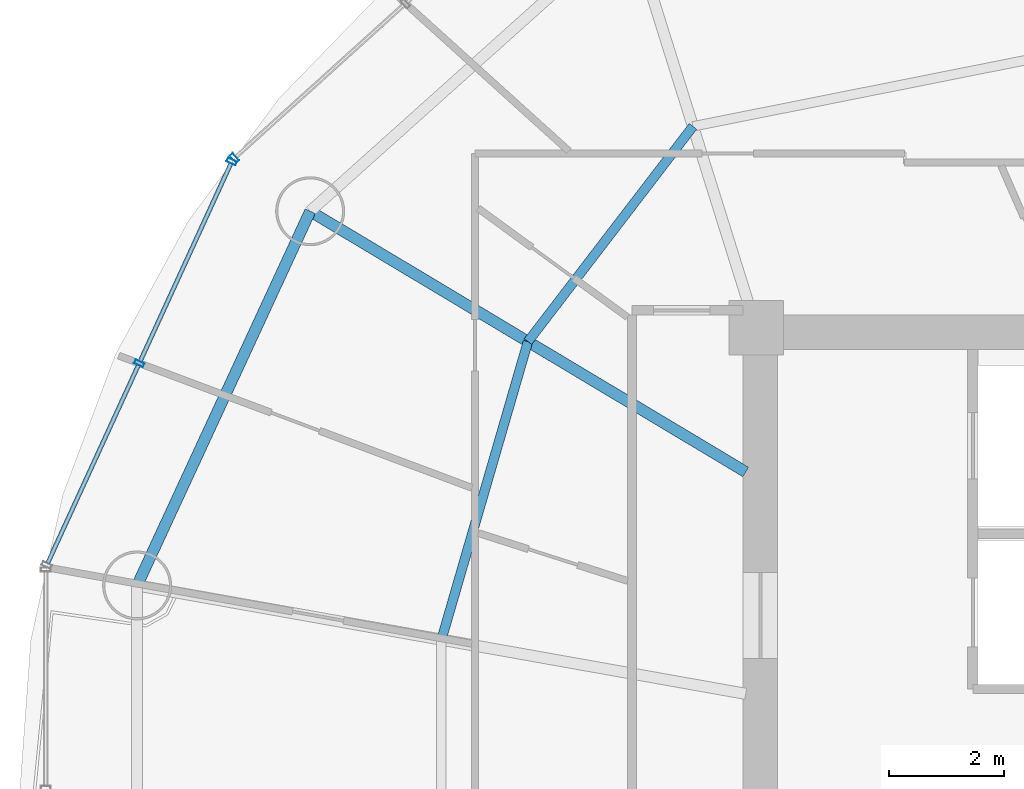
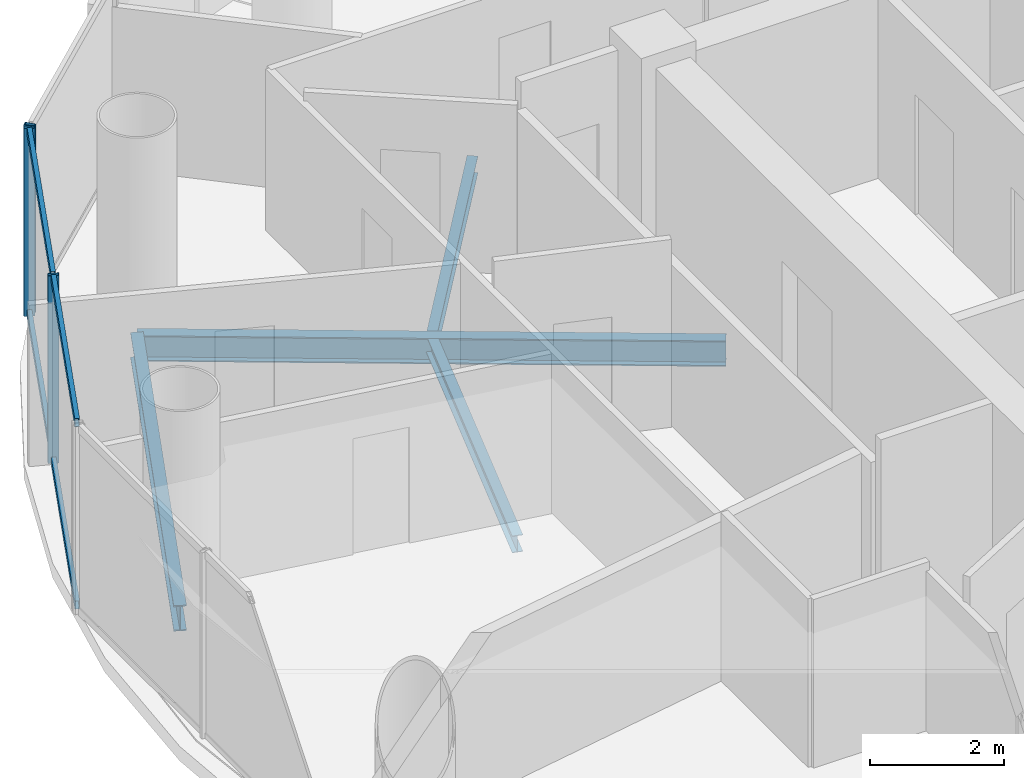
# One storey, part 8 of 27: 7 members, 4 beams, 2 elements without a shape of their own.
"""IFC4 building model written with IfcOpenShell, lengths in metres."""

from ifc_helpers import new_model, si_unit, direction, frame, origin, origin_2d, place, context, subcontext, project, spatial, hollow_rectangle, i_section, extrude, source, transform, mapped, material, material_profile, profile_set, type_object, element, aggregate, save


model = new_model("IFC4")

# Units and contexts
model_context = context("Model", 3, precision=1e-05, world=origin(), true_north=direction((-0.2419218956, 0.970295726276)))
body_context = subcontext(model_context, "Body", "Model", "MODEL_VIEW")
ifc_project = project(units=[si_unit("LENGTHUNIT", "METRE"), si_unit("AREAUNIT", "SQUARE_METRE"), si_unit("VOLUMEUNIT", "CUBIC_METRE"), si_unit("PLANEANGLEUNIT", "RADIAN"), si_unit("MASSUNIT", "GRAM", prefix="KILO")], contexts=[model_context])

# Site, building, storey
site_placement = place(None, origin())
site = spatial("IfcSite", under=ifc_project, at=site_placement, CompositionType="ELEMENT")
building_placement = place(site_placement, origin())
building = spatial("IfcBuilding", under=site, at=building_placement, Name="Cobrevalo Terracotta Tower", CompositionType="ELEMENT")
storey_placement = place(building_placement, frame((0.0, 0.0, 198.60009765625)))
storey = spatial("IfcBuildingStorey", under=building, at=storey_placement, Name="L52", CompositionType="ELEMENT", Elevation=198.60009765625)

# Beams
ifc_material_1 = material(Name="Steel S355", Category="steel")
ifc_material_profile_1 = material_profile(ifc_material_1, i_section(OverallWidth=0.194091796875, OverallDepth=0.468994140625, WebThickness=0.011474609375, FlangeThickness=0.0205078125, at=origin_2d()), Name="W 460x106")
ifc_profile_set_1 = profile_set([ifc_material_profile_1], Name="Steel S355")
beam_type_1 = type_object("IfcBeamType", Name="Structural Beam W 460x106 (Steel S355)", PredefinedType="BEAM", material=ifc_profile_set_1)
beam_1_placement = place(storey_placement, frame((21.245849609375, 36.828125, -0.49951171875), z_axis=(0.858046392192, -0.513572184651, 0.0), x_axis=(0.513572184651, 0.858046392192, 0.0)))
element("IfcBeam", 1, at=beam_1_placement, inside=storey, type_object=beam_type_1, Name="L52 radial floor girder 07", PredefinedType="BEAM", context=body_context, shape_type="SweptSolid", body=[
    extrude(i_section(OverallWidth=0.194091796875, OverallDepth=0.468994140625, WebThickness=0.011474609375, FlangeThickness=0.0205078125, at=origin_2d()), origin(), (0.0, 0.0, 1.0), 8.827392578125),
])
ifc_material_profile_2 = material_profile(ifc_material_1, i_section(OverallWidth=0.1650390625, OverallDepth=0.31005859375, WebThickness=0.005859375, FlangeThickness=0.009765625, at=origin_2d()), Name="W 310x38.7")
ifc_profile_set_2 = profile_set([ifc_material_profile_2], Name="Steel S355")
beam_type_2 = type_object("IfcBeamType", Name="Structural Joist W 310x38.7 (Steel S355)", PredefinedType="JOIST", material=ifc_profile_set_2)
beam_2_placement = place(storey_placement, frame((27.902587890625, 38.303955078125, -0.420166015625), z_axis=(-0.608464146296, -0.793581364872, 0.0), x_axis=(0.793581364872, -0.608464146296, 0.0)))
element("IfcBeam", 2, at=beam_2_placement, inside=storey, type_object=beam_type_2, Name="L52 circumferential secondary floor joist 06", PredefinedType="JOIST", context=body_context, shape_type="SweptSolid", body=[
    extrude(i_section(OverallWidth=0.1650390625, OverallDepth=0.31005859375, WebThickness=0.005859375, FlangeThickness=0.009765625, at=origin_2d()), origin(), (0.0, 0.0, 1.0), 4.716064453125),
])
beam_3_placement = place(storey_placement, frame((25.032958984375, 34.561279296875, -0.420166015625), z_axis=(-0.278769817131, -0.960357948401, 0.0), x_axis=(0.960357948401, -0.278769817131, 0.0)))
element("IfcBeam", 3, at=beam_3_placement, inside=storey, type_object=beam_type_2, Name="L52 circumferential secondary floor joist 07", PredefinedType="JOIST", context=body_context, shape_type="SweptSolid", body=[
    extrude(i_section(OverallWidth=0.1650390625, OverallDepth=0.31005859375, WebThickness=0.005859375, FlangeThickness=0.009765625, at=origin_2d()), origin(), (0.0, 0.0, 1.0), 5.396484375),
])
ifc_material_profile_3 = material_profile(ifc_material_1, i_section(OverallWidth=0.194091796875, OverallDepth=0.468994140625, WebThickness=0.011474609375, FlangeThickness=0.0205078125, at=origin_2d()), Name="W 460x106")
ifc_profile_set_3 = profile_set([ifc_material_profile_3], Name="Steel S355")
beam_type_3 = type_object("IfcBeamType", Name="Structural Spandrel W 460x106 (Steel S355)", PredefinedType="SPANDREL", material=ifc_profile_set_3)
beam_4_placement = place(storey_placement, frame((21.245849609375, 36.828125, -0.49951171875), z_axis=(-0.419705965131, -0.907660125176, 0.0), x_axis=(0.907660125176, -0.419705965131, 0.0)))
element("IfcBeam", 4, at=beam_4_placement, inside=storey, type_object=beam_type_3, Name="L52 perimeter ring spandrel 07", PredefinedType="SPANDREL", context=body_context, shape_type="SweptSolid", body=[
    extrude(i_section(OverallWidth=0.194091796875, OverallDepth=0.468994140625, WebThickness=0.011474609375, FlangeThickness=0.0205078125, at=origin_2d()), origin(), (0.0, 0.0, 1.0), 7.168701171875),
])

# Curtain wall, members
ifc_material_2 = material(Name="Anodized aluminium", Category="aluminium")
curtain_wall_type = type_object("IfcCurtainWallType", Name="Mid-tower high-wind unitised curtain wall CW-U2", PredefinedType="NOTDEFINED", material=ifc_material_2)
curtain_wall_1_placement = place(storey_placement, origin())
curtain_wall_1 = element("IfcCurtainWall", 5, at=curtain_wall_1_placement, inside=storey, type_object=curtain_wall_type, Name="L52 curtain wall CW-L52-S07", PredefinedType="NOTDEFINED")
ifc_material_profile_4 = material_profile(ifc_material_2, hollow_rectangle(XDim=0.074951171875, YDim=0.14990234375, WallThickness=0.00439453125, at=origin_2d()), Name="CWT 75x150")
ifc_profile_set_4 = profile_set([ifc_material_profile_4], Name="Anodized aluminium")
member_type_1 = type_object("IfcMemberType", Name="Tower unitised aluminium transom 75x150", PredefinedType="USERDEFINED", material=ifc_profile_set_4)
shared_shape_1 = source(origin(), body_context, "Body", "SweptSolid", [
    extrude(hollow_rectangle(XDim=0.074951171875, YDim=0.14990234375, WallThickness=0.00439453125, at=origin_2d()), origin(), (0.0, 0.0, 1.0), 3.780029296875),
])
member_1_placement = place(storey_placement, frame((19.865478515625, 37.6552734375, 0.0498046875), z_axis=(-0.416705859352, -0.909041377926, 0.0), x_axis=(0.909041377926, -0.416705859352, 0.0)))
member_1 = element("IfcMember", 6, at=member_1_placement, type_object=member_type_1, Name="CW-L52-S07 transom B01-T1", ObjectType="TRANSOM", PredefinedType="USERDEFINED", context=body_context, shape_type="MappedRepresentation", body=[
    mapped(shared_shape_1, transform((0.0, 0.0, 0.0), scale=1.0)),
])
member_2_placement = place(storey_placement, frame((19.865478515625, 37.6552734375, 3.385009765625), z_axis=(-0.416705859352, -0.909041377926, 0.0), x_axis=(0.909041377926, -0.416705859352, 0.0)))
member_2 = element("IfcMember", 7, at=member_2_placement, type_object=member_type_1, Name="CW-L52-S07 transom B01-T2", ObjectType="TRANSOM", PredefinedType="USERDEFINED", context=body_context, shape_type="MappedRepresentation", body=[
    mapped(shared_shape_1, transform((0.0, 0.0, 0.0), scale=1.0)),
])
member_3_placement = place(storey_placement, frame((18.2568359375, 34.146484375, 0.0498046875), z_axis=(-0.416705859352, -0.909041377926, 0.0), x_axis=(0.909041377926, -0.416705859352, 0.0)))
member_3 = element("IfcMember", 8, at=member_3_placement, type_object=member_type_1, Name="CW-L52-S07 transom B02-T1", ObjectType="TRANSOM", PredefinedType="USERDEFINED", context=body_context, shape_type="MappedRepresentation", body=[
    mapped(shared_shape_1, transform((0.0, 0.0, 0.0), scale=1.0)),
])
member_4_placement = place(storey_placement, frame((18.2568359375, 34.146484375, 3.385009765625), z_axis=(-0.416705859352, -0.909041377926, 0.0), x_axis=(0.909041377926, -0.416705859352, 0.0)))
member_4 = element("IfcMember", 9, at=member_4_placement, type_object=member_type_1, Name="CW-L52-S07 transom B02-T2", ObjectType="TRANSOM", PredefinedType="USERDEFINED", context=body_context, shape_type="MappedRepresentation", body=[
    mapped(shared_shape_1, transform((0.0, 0.0, 0.0), scale=1.0)),
])

# Curtain wall, member
curtain_wall_2_placement = place(storey_placement, origin())
curtain_wall_2 = element("IfcCurtainWall", 10, at=curtain_wall_2_placement, inside=storey, type_object=curtain_wall_type, Name="L52 curtain wall CW-L52-S06", PredefinedType="NOTDEFINED")
ifc_material_profile_5 = material_profile(ifc_material_2, hollow_rectangle(XDim=0.070068359375, YDim=0.169921875, WallThickness=0.00439453125, at=origin_2d()), Name="CWM 70x170")
ifc_profile_set_5 = profile_set([ifc_material_profile_5], Name="Anodized aluminium")
member_type_2 = type_object("IfcMemberType", Name="Upper tower unitised mullion 70x170", PredefinedType="MULLION", material=ifc_profile_set_5)
shared_shape_2 = source(origin(), body_context, "Body", "SweptSolid", [
    extrude(hollow_rectangle(XDim=0.070068359375, YDim=0.169921875, WallThickness=0.00439453125, at=origin_2d()), origin(), (0.0, 0.0, 1.0), 3.434814453125),
])
member_5_placement = place(storey_placement, frame((19.928466796875, 37.7548828125, 0.0), z_axis=(0.0, 0.0, 1.0), x_axis=(-0.741987542015, -0.670413668935, 0.0)))
member_5 = element("IfcMember", 11, at=member_5_placement, type_object=member_type_2, Name="CW-L52-S06 vertical mullion 03", PredefinedType="MULLION", context=body_context, shape_type="MappedRepresentation", body=[
    mapped(shared_shape_2, transform((0.0, 0.0, 0.0), scale=1.0)),
])
aggregate(curtain_wall_2, [member_5])

# Member
member_6_placement = place(storey_placement, frame((19.88232421875, 37.691650390625, 0.0), z_axis=(0.0, 0.0, 1.0), x_axis=(-0.41672507912, -0.909032567311, 0.0)))
member_6 = element("IfcMember", 12, at=member_6_placement, type_object=member_type_2, Name="CW-L52-S07 vertical mullion 01", PredefinedType="MULLION", context=body_context, shape_type="MappedRepresentation", body=[
    mapped(shared_shape_2, transform((0.0, 0.0, 0.0), scale=1.0)),
])

member_7_placement = place(storey_placement, frame((18.273681640625, 34.182861328125, 0.0), z_axis=(0.0, 0.0, 1.0), x_axis=(-0.41672507912, -0.909032567311, 0.0)))
member_7 = element("IfcMember", 13, at=member_7_placement, type_object=member_type_2, Name="CW-L52-S07 vertical mullion 02", PredefinedType="MULLION", context=body_context, shape_type="MappedRepresentation", body=[
    mapped(shared_shape_2, transform((0.0, 0.0, 0.0), scale=1.0)),
])

aggregate(curtain_wall_1, [member_6, member_7, member_1, member_2, member_3, member_4])

save(model, "model.ifc")
